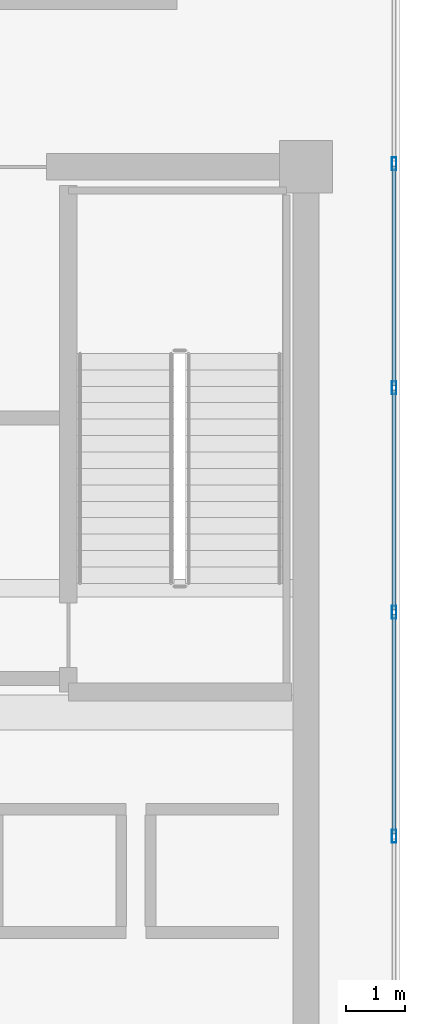
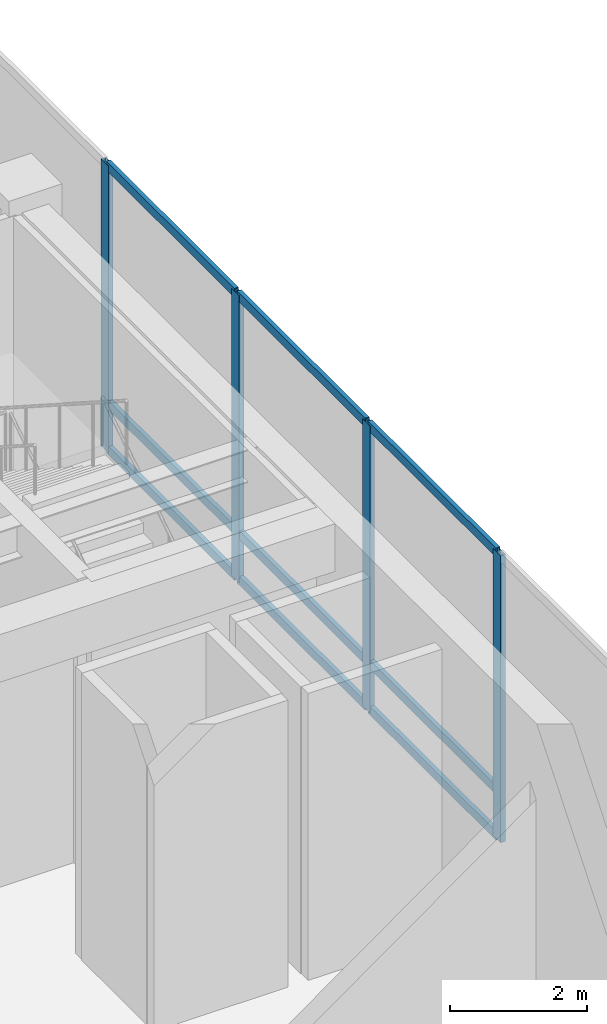
# One storey, part 17 of 30: 13 members, 1 element without a shape of its own.
"""IFC4 building model written with IfcOpenShell, lengths in metres."""

from ifc_helpers import new_model, si_unit, direction, frame, origin, origin_2d, place, context, subcontext, project, spatial, hollow_rectangle, extrude, source, transform, mapped, material, layer, layer_set, material_profile, profile_set, type_object, type_shapes, element, aggregate, save


model = new_model("IFC4")

# Units and contexts
model_context = context("Model", 3, precision=1e-05, world=origin(), true_north=direction((0.0, 1.0)))
body_context = subcontext(model_context, "Body", "Model", "MODEL_VIEW")
ifc_project = project(units=[si_unit("LENGTHUNIT", "METRE"), si_unit("AREAUNIT", "SQUARE_METRE"), si_unit("VOLUMEUNIT", "CUBIC_METRE"), si_unit("PLANEANGLEUNIT", "RADIAN"), si_unit("MASSUNIT", "GRAM", prefix="KILO")], contexts=[model_context])

# Site, building, storey
site_placement = place(None, origin())
site = spatial("IfcSite", under=ifc_project, at=site_placement, CompositionType="ELEMENT")
building_placement = place(site_placement, origin())
building = spatial("IfcBuilding", under=site, at=building_placement, Name="Haelvirn Gate Laboratories", CompositionType="ELEMENT")
storey_placement = place(building_placement, frame((0.0, 0.0, 327.0)))
storey = spatial("IfcBuildingStorey", under=building, at=storey_placement, Name="L78", CompositionType="ELEMENT", Elevation=327.0)

# Curtain wall, members
ifc_material_1 = material(Name="Anodised bronze unitised aluminium & triple low-E glass", Category="aluminium")
ifc_layer = layer(ifc_material_1, 0.19189453125, Name="CW-SYS-6")
ifc_layer_set = layer_set([ifc_layer], Name="Anodised bronze unitised aluminium & triple low-E glass")
curtain_wall_type = type_object("IfcCurtainWallType", Name="CW-SYS-6", PredefinedType="NOTDEFINED", material=ifc_layer_set)
curtain_wall_placement = place(storey_placement, origin())
curtain_wall = element("IfcCurtainWall", 1, at=curtain_wall_placement, inside=storey, type_object=curtain_wall_type, Name="L78 Unitised Curtain Wall CW-L78-P0-E07", PredefinedType="NOTDEFINED")
ifc_material_2 = material(Name="Extruded aluminium 6063-T6 (anodised bronze)", Category="aluminium")
ifc_material_profile_1 = material_profile(ifc_material_2, hollow_rectangle(XDim=0.080078125, YDim=0.219970703125, WallThickness=0.006103515625, at=origin_2d()), Name="CWM-220x80x6")
ifc_profile_set_1 = profile_set([ifc_material_profile_1], Name="Extruded aluminium 6063-T6 (anodised bronze)")
member_type_1 = type_object("IfcMemberType", Name="CWM-T220", PredefinedType="MULLION", material=ifc_profile_set_1)
shared_shape_1 = source(origin(), body_context, "Body", "SweptSolid", [
    extrude(hollow_rectangle(XDim=0.080078125, YDim=0.219970703125, WallThickness=0.006103515625, at=origin_2d()), origin(), (0.0, 0.0, 1.0), 5.1201171875),
])
type_shapes(member_type_1, [shared_shape_1])
member_1_placement = place(storey_placement, frame((68.89990234375, 22.388916015625, 0.0), z_axis=(0.0, 0.0, 1.0), x_axis=(-1.0, 0.0, 0.0)))
member_1 = element("IfcMember", 2, at=member_1_placement, type_object=member_type_1, Name="CW6 mullion 5", PredefinedType="MULLION", context=body_context, shape_type="MappedRepresentation", body=[
    mapped(shared_shape_1, transform((0.0, 0.0, 0.0), scale=1.0)),
])
member_2_placement = place(storey_placement, frame((68.89990234375, 26.211181640625, 0.0), z_axis=(0.0, 0.0, 1.0), x_axis=(-1.0, 0.0, 0.0)))
member_2 = element("IfcMember", 3, at=member_2_placement, type_object=member_type_1, Name="CW6 mullion 6", PredefinedType="MULLION", context=body_context, shape_type="MappedRepresentation", body=[
    mapped(shared_shape_1, transform((0.0, 0.0, 0.0), scale=1.0)),
])
member_3_placement = place(storey_placement, frame((68.89990234375, 30.033447265625, 0.0), z_axis=(0.0, 0.0, 1.0), x_axis=(-1.0, 0.0, 0.0)))
member_3 = element("IfcMember", 4, at=member_3_placement, type_object=member_type_1, Name="CW6 mullion 7", PredefinedType="MULLION", context=body_context, shape_type="MappedRepresentation", body=[
    mapped(shared_shape_1, transform((0.0, 0.0, 0.0), scale=1.0)),
])
member_4_placement = place(storey_placement, frame((68.89990234375, 33.85546875, 0.0), z_axis=(0.0, 0.0, 1.0), x_axis=(-1.0, 0.0, 0.0)))
member_4 = element("IfcMember", 5, at=member_4_placement, type_object=member_type_1, Name="CW6 mullion 8", PredefinedType="MULLION", context=body_context, shape_type="MappedRepresentation", body=[
    mapped(shared_shape_1, transform((0.0, 0.0, 0.0), scale=1.0)),
])
ifc_material_profile_2 = material_profile(ifc_material_2, hollow_rectangle(XDim=0.070068359375, YDim=0.159912109375, WallThickness=0.0048828125, at=origin_2d()), Name="CWT-160x70x5")
ifc_profile_set_2 = profile_set([ifc_material_profile_2], Name="Extruded aluminium 6063-T6 (anodised bronze)")
member_type_2 = type_object("IfcMemberType", Name="CWT-T160", PredefinedType="USERDEFINED", material=ifc_profile_set_2)
shared_shape_2 = source(origin(), body_context, "Body", "SweptSolid", [
    extrude(hollow_rectangle(XDim=0.070068359375, YDim=0.159912109375, WallThickness=0.0048828125, at=origin_2d()), origin(), (0.0, 0.0, 1.0), 3.7421875),
])
member_5_placement = place(storey_placement, frame((68.89990234375, 22.428955078125, 0.034912109375), z_axis=(0.0, 1.0, 0.0), x_axis=(-1.0, 0.0, 0.0)))
member_5 = element("IfcMember", 6, at=member_5_placement, type_object=member_type_2, Name="CW6 transom 5.1", ObjectType="TRANSOM", PredefinedType="USERDEFINED", context=body_context, shape_type="MappedRepresentation", body=[
    mapped(shared_shape_2, transform((0.0, 0.0, 0.0), scale=1.0)),
])
member_6_placement = place(storey_placement, frame((68.89990234375, 22.428955078125, 0.85009765625), z_axis=(0.0, 1.0, 0.0), x_axis=(-1.0, 0.0, 0.0)))
member_6 = element("IfcMember", 7, at=member_6_placement, type_object=member_type_2, Name="CW6 transom 5.2", ObjectType="TRANSOM", PredefinedType="USERDEFINED", context=body_context, shape_type="MappedRepresentation", body=[
    mapped(shared_shape_2, transform((0.0, 0.0, 0.0), scale=1.0)),
])
member_7_placement = place(storey_placement, frame((68.89990234375, 22.428955078125, 5.0849609375), z_axis=(0.0, 1.0, 0.0), x_axis=(-1.0, 0.0, 0.0)))
member_7 = element("IfcMember", 8, at=member_7_placement, type_object=member_type_2, Name="CW6 transom 5.3", ObjectType="TRANSOM", PredefinedType="USERDEFINED", context=body_context, shape_type="MappedRepresentation", body=[
    mapped(shared_shape_2, transform((0.0, 0.0, 0.0), scale=1.0)),
])
member_8_placement = place(storey_placement, frame((68.89990234375, 26.251220703125, 0.034912109375), z_axis=(0.0, 1.0, 0.0), x_axis=(-1.0, 0.0, 0.0)))
member_8 = element("IfcMember", 9, at=member_8_placement, type_object=member_type_2, Name="CW6 transom 6.1", ObjectType="TRANSOM", PredefinedType="USERDEFINED", context=body_context, shape_type="MappedRepresentation", body=[
    mapped(shared_shape_2, transform((0.0, 0.0, 0.0), scale=1.0)),
])
member_9_placement = place(storey_placement, frame((68.89990234375, 26.251220703125, 0.85009765625), z_axis=(0.0, 1.0, 0.0), x_axis=(-1.0, 0.0, 0.0)))
member_9 = element("IfcMember", 10, at=member_9_placement, type_object=member_type_2, Name="CW6 transom 6.2", ObjectType="TRANSOM", PredefinedType="USERDEFINED", context=body_context, shape_type="MappedRepresentation", body=[
    mapped(shared_shape_2, transform((0.0, 0.0, 0.0), scale=1.0)),
])
member_10_placement = place(storey_placement, frame((68.89990234375, 26.251220703125, 5.0849609375), z_axis=(0.0, 1.0, 0.0), x_axis=(-1.0, 0.0, 0.0)))
member_10 = element("IfcMember", 11, at=member_10_placement, type_object=member_type_2, Name="CW6 transom 6.3", ObjectType="TRANSOM", PredefinedType="USERDEFINED", context=body_context, shape_type="MappedRepresentation", body=[
    mapped(shared_shape_2, transform((0.0, 0.0, 0.0), scale=1.0)),
])
shared_shape_3 = source(origin(), body_context, "Body", "SweptSolid", [
    extrude(hollow_rectangle(XDim=0.070068359375, YDim=0.159912109375, WallThickness=0.0048828125, at=origin_2d()), origin(), (0.0, 0.0, 1.0), 3.742431640625),
])
type_shapes(member_type_2, [shared_shape_2, shared_shape_3])
member_11_placement = place(storey_placement, frame((68.89990234375, 30.0732421875, 0.034912109375), z_axis=(0.0, 1.0, 0.0), x_axis=(-1.0, 0.0, 0.0)))
member_11 = element("IfcMember", 12, at=member_11_placement, type_object=member_type_2, Name="CW6 transom 7.1", ObjectType="TRANSOM", PredefinedType="USERDEFINED", context=body_context, shape_type="MappedRepresentation", body=[
    mapped(shared_shape_3, transform((0.0, 0.0, 0.0), scale=1.0)),
])
member_12_placement = place(storey_placement, frame((68.89990234375, 30.0732421875, 0.85009765625), z_axis=(0.0, 1.0, 0.0), x_axis=(-1.0, 0.0, 0.0)))
member_12 = element("IfcMember", 13, at=member_12_placement, type_object=member_type_2, Name="CW6 transom 7.2", ObjectType="TRANSOM", PredefinedType="USERDEFINED", context=body_context, shape_type="MappedRepresentation", body=[
    mapped(shared_shape_3, transform((0.0, 0.0, 0.0), scale=1.0)),
])
member_13_placement = place(storey_placement, frame((68.89990234375, 30.0732421875, 5.0849609375), z_axis=(0.0, 1.0, 0.0), x_axis=(-1.0, 0.0, 0.0)))
member_13 = element("IfcMember", 14, at=member_13_placement, type_object=member_type_2, Name="CW6 transom 7.3", ObjectType="TRANSOM", PredefinedType="USERDEFINED", context=body_context, shape_type="MappedRepresentation", body=[
    mapped(shared_shape_3, transform((0.0, 0.0, 0.0), scale=1.0)),
])
aggregate(curtain_wall, [member_1, member_2, member_3, member_4, member_5, member_6, member_7, member_8, member_9, member_10, member_11, member_12, member_13])

save(model, "model.ifc")
